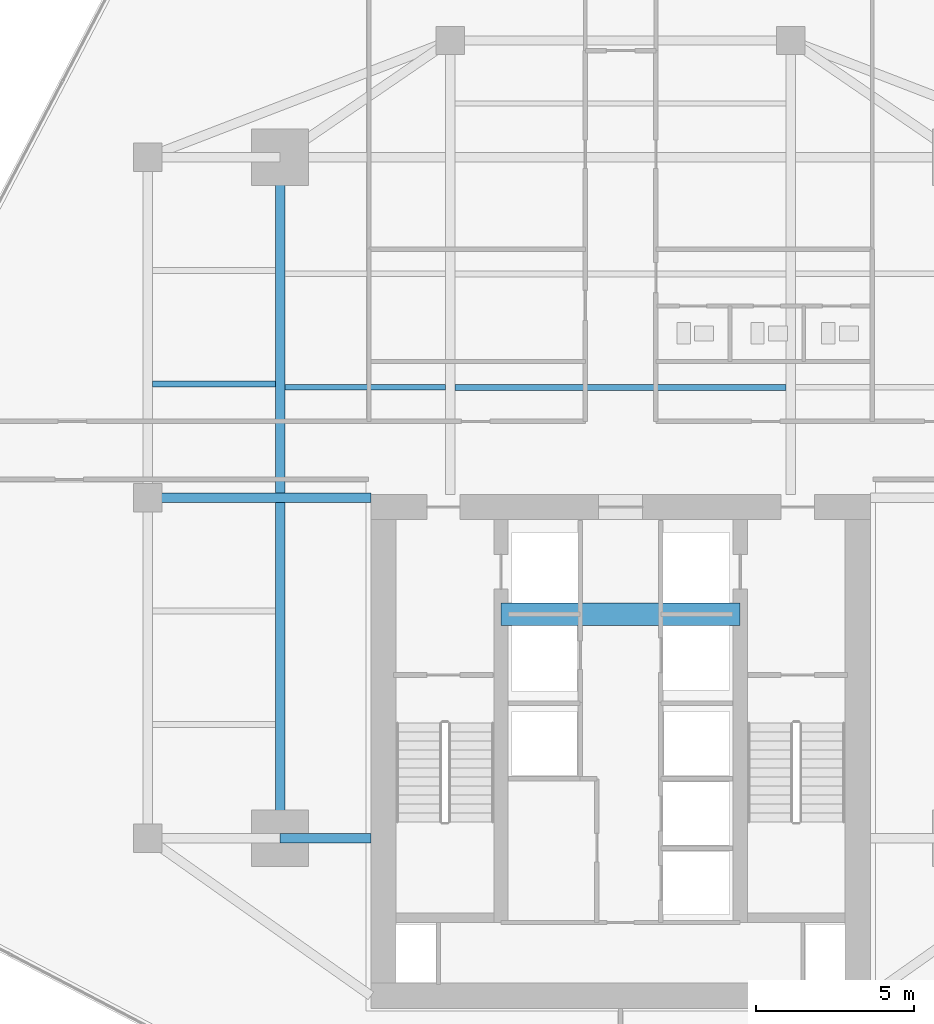
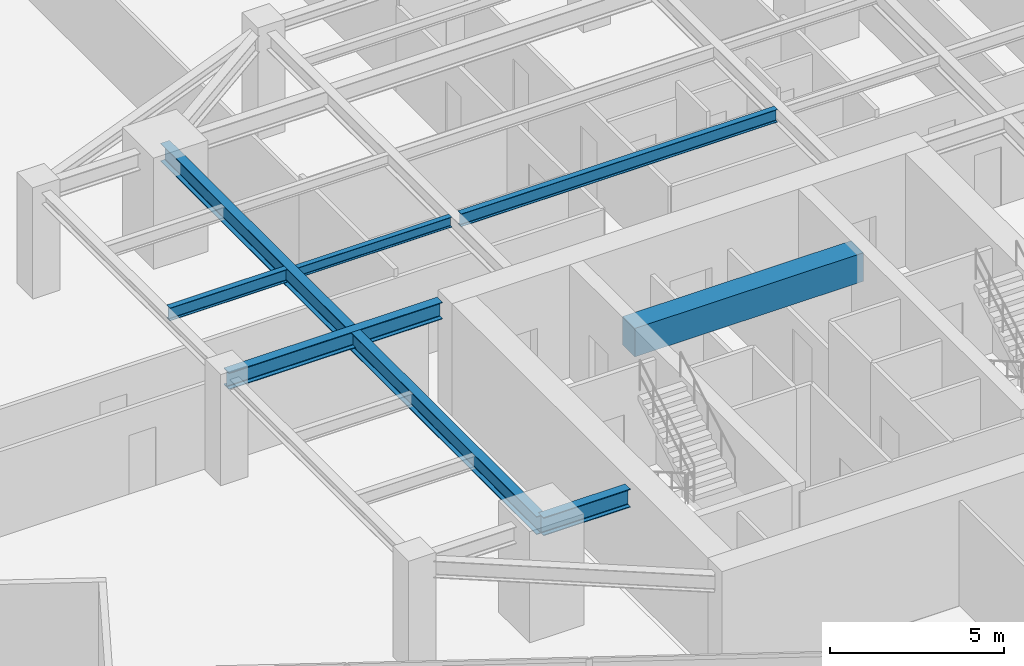
# One storey, part 8 of 27: 7 beams.
"""IFC4 building model written with IfcOpenShell, lengths in metres."""

import ifcopenshell
import ifcopenshell.guid

model = None  # the IFC model being written
_history = None  # IfcOwnerHistory: only IFC2X3 demands one
_inside = {}  # id of a spatial element -> (the spatial element, [elements in it])
_under = {}  # id of a project, library or spatial element -> (it, [spatial elements below it])
_declared = {}  # id of a project -> (the project, [libraries it declares])
_typed = {}  # id of a type object -> (the type object, [elements of that type])
_made_of = {}  # id of a material, layer set ... -> (it, [elements and type objects made of it])


def new_model(schema):
    """Start an empty IFC model of exactly this schema.

    Asked for "IFC4X3", IfcOpenShell would pick the latest addendum, in which some entities
    have other attributes; the version numbers below select the first issue.
    IFC2X3 requires an IfcOwnerHistory on every rooted entity: one is made here for all.
    """
    global model, _history
    if schema == "IFC4X3":
        model = ifcopenshell.file(schema_version=(4, 3, 0, 0))
    else:
        model = ifcopenshell.file(schema=schema)
    _inside.clear()
    _under.clear()
    _declared.clear()
    _typed.clear()
    _made_of.clear()
    _history = None
    if model.schema == "IFC2X3":
        org = make("IfcOrganization", Name="unknown")
        user = make(
            "IfcPersonAndOrganization",
            ThePerson=make("IfcPerson", FamilyName="unknown"),
            TheOrganization=org,
        )
        app = make(
            "IfcApplication",
            ApplicationDeveloper=org,
            Version="unknown",
            ApplicationFullName="unknown",
            ApplicationIdentifier="unknown",
        )
        _history = make(
            "IfcOwnerHistory",
            OwningUser=user,
            OwningApplication=app,
            ChangeAction="ADDED",
            CreationDate=0,
        )
    return model


def make(cls, **values):
    """One entity of the class cls with the attributes given. An attribute that is None is left unset."""
    return model.create_entity(
        cls, **{name: value for name, value in values.items() if value is not None}
    )


def rooted(cls, **values):
    """An entity with a GlobalId (a new one), such as an element, a storey or a relation."""
    return make(cls, GlobalId=ifcopenshell.guid.new(), OwnerHistory=_history, **values)


def si_unit(unit_type, name, prefix=None):
    """IfcSIUnit, for example si_unit("LENGTHUNIT", "METRE", prefix="MILLI")."""
    return make("IfcSIUnit", UnitType=unit_type, Prefix=prefix, Name=name)


def assignment(units):
    """IfcUnitAssignment: the units of a project."""
    return None if units is None else make("IfcUnitAssignment", Units=units)


def point(xyz):
    """IfcCartesianPoint."""
    return None if xyz is None else make("IfcCartesianPoint", Coordinates=xyz)


def direction(xyz):
    """IfcDirection."""
    return None if xyz is None else make("IfcDirection", DirectionRatios=xyz)


def frame(location, z_axis=None, x_axis=None):
    """IfcAxis2Placement3D, a coordinate frame: its origin and axes. An axis left out is left unset."""
    return make(
        "IfcAxis2Placement3D",
        Location=point(location),
        Axis=direction(z_axis),
        RefDirection=direction(x_axis),
    )


def frame_2d(location, x_axis=None):
    """IfcAxis2Placement2D, a coordinate frame in the plane: its origin and x axis."""
    return make(
        "IfcAxis2Placement2D", Location=point(location), RefDirection=direction(x_axis)
    )


def origin():
    """The frame at (0, 0, 0) with its axes left unset."""
    return frame((0.0, 0.0, 0.0))


def origin_2d():
    """The frame at (0, 0) in the plane with its x axis left unset."""
    return frame_2d((0.0, 0.0))


def place(relative_to, where):
    """IfcLocalPlacement: puts the frame where relative to a parent placement (None: the world)."""
    return make(
        "IfcLocalPlacement", PlacementRelTo=relative_to, RelativePlacement=where
    )


def context(
    kind, dimensions, precision=None, world=None, true_north=None, identifier=None
):
    """IfcGeometricRepresentationContext, for example the 3D "Model" context."""
    return make(
        "IfcGeometricRepresentationContext",
        ContextIdentifier=identifier,
        ContextType=kind,
        CoordinateSpaceDimension=dimensions,
        Precision=precision,
        WorldCoordinateSystem=world,
        TrueNorth=true_north,
    )


def subcontext(parent, identifier, kind, view, scale=None):
    """IfcGeometricRepresentationSubContext, for example "Body" below "Model"."""
    return make(
        "IfcGeometricRepresentationSubContext",
        ContextIdentifier=identifier,
        ContextType=kind,
        ParentContext=parent,
        TargetScale=scale,
        TargetView=view,
    )


def project(units=None, contexts=None):
    """IfcProject with its units and contexts."""
    return rooted(
        "IfcProject",
        Name="project",
        RepresentationContexts=contexts,
        UnitsInContext=assignment(units),
    )


def spatial(cls, under=None, at=None, **own):
    """A site, building, storey or space (cls), placed at a placement, below another one or the project."""
    s = rooted(cls, ObjectPlacement=at, **own)
    if under is not None:
        _under.setdefault(under.id(), (under, []))[1].append(s)
    return s


def profile(cls, at=None, kind="AREA", **sizes):
    """A parametric profile (cls). Its sizes go by their IFC names, for example OverallWidth=200.0."""
    return make(cls, ProfileType=kind, Position=at, **sizes)


def rectangle(**sizes):
    """IfcRectangleProfileDef."""
    return profile("IfcRectangleProfileDef", **sizes)


def i_section(**sizes):
    """IfcIShapeProfileDef."""
    return profile("IfcIShapeProfileDef", **sizes)


def extrude(swept, where, along, depth):
    """IfcExtrudedAreaSolid: the profile swept, set in the frame where, extruded along a direction by depth."""
    return make(
        "IfcExtrudedAreaSolid",
        SweptArea=swept,
        Position=where,
        ExtrudedDirection=direction(along),
        Depth=depth,
    )


def shape(context_of_items, identifier, shape_type, items):
    """IfcShapeRepresentation: the items that make up one representation, for example the "Body"."""
    return make(
        "IfcShapeRepresentation",
        ContextOfItems=context_of_items,
        RepresentationIdentifier=identifier,
        RepresentationType=shape_type,
        Items=items,
    )


def source(mapping_origin, context_of_items, identifier, shape_type, items):
    """IfcRepresentationMap: a shape defined once, which mapped items show again and again."""
    return make(
        "IfcRepresentationMap",
        MappingOrigin=mapping_origin,
        MappedRepresentation=shape(context_of_items, identifier, shape_type, items),
    )


def transform(
    local_origin,
    x_axis=None,
    y_axis=None,
    z_axis=None,
    scale=None,
    scale2=None,
    scale3=None,
    uniform=True,
):
    """IfcCartesianTransformationOperator3D, or its non-uniform kind. x_axis, y_axis, z_axis: its Axis1, 2, 3."""
    if uniform:
        return make(
            "IfcCartesianTransformationOperator3D",
            Axis1=direction(x_axis),
            Axis2=direction(y_axis),
            LocalOrigin=point(local_origin),
            Scale=scale,
            Axis3=direction(z_axis),
        )
    return make(
        "IfcCartesianTransformationOperator3DnonUniform",
        Axis1=direction(x_axis),
        Axis2=direction(y_axis),
        LocalOrigin=point(local_origin),
        Scale=scale,
        Axis3=direction(z_axis),
        Scale2=scale2,
        Scale3=scale3,
    )


def mapped(mapping_source, mapping_target):
    """IfcMappedItem: shows the shape of a source again, moved by a transform."""
    return make(
        "IfcMappedItem", MappingSource=mapping_source, MappingTarget=mapping_target
    )


def material(Name=None, Category=None):
    """IfcMaterial."""
    return make("IfcMaterial", Name=Name, Category=Category)


def material_profile(
    of_material, cross_section, Name=None, Category=None, Priority=None
):
    """IfcMaterialProfile: a cross section and its material."""
    return make(
        "IfcMaterialProfile",
        Name=Name,
        Material=of_material,
        Profile=cross_section,
        Priority=Priority,
        Category=Category,
    )


def profile_set(profiles, Name=None, composite=None):
    """IfcMaterialProfileSet."""
    return make(
        "IfcMaterialProfileSet",
        Name=Name,
        MaterialProfiles=profiles,
        CompositeProfile=composite,
    )


def made_of(thing, what):
    """Note that an element or type object is made of a material, layer set ...; save() writes the relation."""
    if what is not None:
        _made_of.setdefault(what.id(), (what, []))[1].append(thing)
    return thing


def type_object(cls, material=None, **own):
    """A type object (cls), such as IfcWallType, which elements share."""
    return made_of(rooted(cls, **own), material)


def type_shapes(of_type, sources):
    """Give a type object the sources (RepresentationMaps) that its elements show as mapped items."""
    of_type.RepresentationMaps = sources


def element(
    cls,
    number,
    at=None,
    inside=None,
    cuts=None,
    type_object=None,
    material=None,
    context=None,
    identifier="Body",
    shape_type=None,
    held_by="IfcProductDefinitionShape",
    body=None,
    shapes=None,
    **own,
):
    """One element of the class cls, such as IfcWall. Its Tag is "e" and its number.

    at: its placement. inside: the storey or other place that contains it. cuts: it is an
    opening in that element (IfcRelVoidsElement). A single representation is given by context,
    identifier, shape_type and body (its items); several are given by shapes. held_by: the class
    of the entity that holds the representations. save() writes the other relations.
    """
    e = rooted(cls, Tag="e%d" % number, ObjectPlacement=at, **own)
    if body is not None:
        shapes = [shape(context, identifier, shape_type, body)]
    if shapes is not None:
        e.Representation = make(held_by, Representations=shapes)
    if inside is not None:
        _inside.setdefault(inside.id(), (inside, []))[1].append(e)
    if cuts is not None:
        rooted(
            "IfcRelVoidsElement", RelatingBuildingElement=cuts, RelatedOpeningElement=e
        )
    if type_object is not None:
        _typed.setdefault(type_object.id(), (type_object, []))[1].append(e)
    return made_of(e, material)


def aggregate(whole, parts):
    """IfcRelAggregates: a whole, such as a stair, and the parts it consists of."""
    return rooted("IfcRelAggregates", RelatingObject=whole, RelatedObjects=parts)


def save(model, path):
    """Write the relations noted so far, then the file.

    IfcRelAggregates (storeys below a building ...), IfcRelContainedInSpatialStructure (elements
    in a storey), IfcRelDefinesByType, IfcRelAssociatesMaterial and IfcRelDeclares: one each for
    every whole, place, type object, material and project.
    """
    for whole, parts in _under.values():
        aggregate(whole, parts)
    for where, things in _inside.values():
        rooted(
            "IfcRelContainedInSpatialStructure",
            RelatedElements=things,
            RelatingStructure=where,
        )
    for kind, things in _typed.values():
        rooted("IfcRelDefinesByType", RelatedObjects=things, RelatingType=kind)
    for what, things in _made_of.values():
        rooted("IfcRelAssociatesMaterial", RelatedObjects=things, RelatingMaterial=what)
    for by, libraries in _declared.values():
        rooted("IfcRelDeclares", RelatingContext=by, RelatedDefinitions=libraries)
    model.write(path)


model = new_model("IFC4")

# Units and contexts
model_context = context("Model", 3, precision=1e-05, world=origin(), true_north=direction((0.0, 1.0)))
body_context = subcontext(model_context, "Body", "Model", "MODEL_VIEW")
ifc_project = project(units=[si_unit("LENGTHUNIT", "METRE"), si_unit("AREAUNIT", "SQUARE_METRE"), si_unit("VOLUMEUNIT", "CUBIC_METRE"), si_unit("PLANEANGLEUNIT", "RADIAN"), si_unit("MASSUNIT", "GRAM", prefix="KILO")], contexts=[model_context])

# Site, building, storey
site_placement = place(None, origin())
site = spatial("IfcSite", under=ifc_project, at=site_placement, CompositionType="ELEMENT")
building_placement = place(site_placement, origin())
building = spatial("IfcBuilding", under=site, at=building_placement, Name="Krantzveldt Concourse Tower", CompositionType="ELEMENT")
storey_placement = place(building_placement, frame((0.0, 0.0, 150.14990234375)))
storey = spatial("IfcBuildingStorey", under=building, at=storey_placement, Name="L36", CompositionType="ELEMENT", Elevation=150.14990234375)

# Beams
ifc_material_1 = material(Name="Steel S355JR", Category="steel")
ifc_material_profile_1 = material_profile(ifc_material_1, i_section(OverallWidth=0.300048828125, OverallDepth=0.639892578125, WebThickness=0.013427734375, FlangeThickness=0.02587890625, FilletRadius=0.027099609375, at=origin_2d()), Name="Steel S355JR", Category="steel")
ifc_profile_set_1 = profile_set([ifc_material_profile_1], Name="Steel S355JR - HEA 650")
beam_type_1 = type_object("IfcBeamType", Name="BM-B-HEA650", PredefinedType="BEAM", material=ifc_profile_set_1)
shared_shape_1 = source(origin(), body_context, "Body", "SweptSolid", [
    extrude(i_section(OverallWidth=0.300048828125, OverallDepth=0.639892578125, WebThickness=0.013427734375, FlangeThickness=0.02587890625, FilletRadius=0.027099609375, at=origin_2d()), origin(), (0.0, 0.0, 1.0), 21.60009765625),
])
beam_1_placement = place(storey_placement, frame((25.199951171875, 15.89990234375, 3.35009765625), z_axis=(0.0, 1.0, 0.0), x_axis=(-1.0, 0.0, 0.0)))
element("IfcBeam", 1, at=beam_1_placement, inside=storey, type_object=beam_type_1, Name="L36 Tower Girder BG-MW", PredefinedType="BEAM", context=body_context, shape_type="MappedRepresentation", body=[
    mapped(shared_shape_1, transform((0.0, 0.0, 0.0), x_axis=(1.0, 0.0, 0.0), y_axis=(0.0, 1.0, 0.0), z_axis=(0.0, 0.0, 1.0), scale=1.0)),
])
ifc_material_profile_2 = material_profile(ifc_material_1, i_section(OverallWidth=0.300048828125, OverallDepth=0.590087890625, WebThickness=0.012939453125, FlangeThickness=0.02490234375, FilletRadius=0.027099609375, at=origin_2d()), Name="Steel S355JR", Category="steel")
ifc_profile_set_2 = profile_set([ifc_material_profile_2], Name="Steel S355JR - HEA 600")
beam_type_2 = type_object("IfcBeamType", Name="BM-B-HEA600", PredefinedType="BEAM", material=ifc_profile_set_2)
shared_shape_2 = source(origin(), body_context, "Body", "SweptSolid", [
    extrude(i_section(OverallWidth=0.300048828125, OverallDepth=0.590087890625, WebThickness=0.012939453125, FlangeThickness=0.02490234375, FilletRadius=0.027099609375, at=origin_2d()), origin(), (0.0, 0.0, 1.0), 7.080078125),
])
type_shapes(beam_type_2, [shared_shape_2])
beam_2_placement = place(storey_placement, frame((21.0, 26.699951171875, 3.375), z_axis=(1.0, 0.0, 0.0), x_axis=(0.0, 1.0, 0.0)))
element("IfcBeam", 2, at=beam_2_placement, inside=storey, type_object=beam_type_2, Name="L36 Tower Girder BG-CW2", PredefinedType="BEAM", context=body_context, shape_type="MappedRepresentation", body=[
    mapped(shared_shape_2, transform((0.0, 0.0, 0.0), x_axis=(1.0, 0.0, 0.0), y_axis=(0.0, 1.0, 0.0), z_axis=(0.0, 0.0, 1.0), scale=1.0)),
])
ifc_material_profile_3 = material_profile(ifc_material_1, i_section(OverallWidth=0.18994140625, OverallDepth=0.449951171875, WebThickness=0.009521484375, FlangeThickness=0.0146484375, FilletRadius=0.02099609375, at=origin_2d()), Name="Steel S355JR", Category="steel")
ifc_profile_set_3 = profile_set([ifc_material_profile_3], Name="Steel S355JR - IPE 450")
beam_type_3 = type_object("IfcBeamType", Name="BM-J-IPE450", PredefinedType="JOIST", material=ifc_profile_set_3)
shared_shape_3 = source(origin(), body_context, "Body", "SweptSolid", [
    extrude(i_section(OverallWidth=0.18994140625, OverallDepth=0.449951171875, WebThickness=0.009521484375, FlangeThickness=0.0146484375, FilletRadius=0.02099609375, at=origin_2d()), origin(), (0.0, 0.0, 1.0), 10.5),
])
beam_3_placement = place(storey_placement, frame((30.75, 30.199951171875, 3.445068359375), z_axis=(1.0, 0.0, 0.0), x_axis=(0.0, 1.0, 0.0)))
element("IfcBeam", 3, at=beam_3_placement, inside=storey, type_object=beam_type_3, Name="L36 Secondary Floor Joist JN-C1", PredefinedType="JOIST", context=body_context, shape_type="MappedRepresentation", body=[
    mapped(shared_shape_3, transform((0.0, 0.0, 0.0), x_axis=(1.0, 0.0, 0.0), y_axis=(0.0, 1.0, 0.0), z_axis=(0.0, 0.0, 1.0), scale=1.0)),
])
ifc_material_2 = material(Name="Concrete C50/60", Category="concrete")
ifc_material_profile_4 = material_profile(ifc_material_2, rectangle(XDim=0.699951171875, YDim=1.0, at=origin_2d()), Name="Concrete C50/60", Category="concrete")
ifc_profile_set_4 = profile_set([ifc_material_profile_4], Name="Concrete C50/60 - RC-CB 700x1000")
beam_type_4 = type_object("IfcBeamType", Name="BM-CB-1000", PredefinedType="LINTEL", material=ifc_profile_set_4)
shared_shape_4 = source(origin(), body_context, "Body", "SweptSolid", [
    extrude(rectangle(XDim=0.699951171875, YDim=1.0, at=origin_2d()), origin(), (0.0, 0.0, 1.0), 7.580078125),
])
type_shapes(beam_type_4, [shared_shape_4])
beam_4_placement = place(storey_placement, frame((32.2099609375, 23.0, 3.170166015625), z_axis=(1.0, 0.0, 0.0), x_axis=(0.0, 1.0, 0.0)))
element("IfcBeam", 4, at=beam_4_placement, inside=storey, type_object=beam_type_4, Name="CB-L36-01", PredefinedType="LINTEL", context=body_context, shape_type="MappedRepresentation", body=[
    mapped(shared_shape_4, transform((0.0, 0.0, 0.0), x_axis=(1.0, 0.0, 0.0), y_axis=(0.0, 1.0, 0.0), z_axis=(0.0, 0.0, 1.0), scale=1.0)),
])
shared_shape_5 = source(origin(), body_context, "Body", "SweptSolid", [
    extrude(i_section(OverallWidth=0.300048828125, OverallDepth=0.639892578125, WebThickness=0.013427734375, FlangeThickness=0.02587890625, FilletRadius=0.027099609375, at=origin_2d()), origin(), (0.0, 0.0, 1.0), 2.880126953125),
])
type_shapes(beam_type_1, [shared_shape_1, shared_shape_5])
beam_5_placement = place(storey_placement, frame((25.199951171875, 15.89990234375, 3.35009765625), z_axis=(1.0, 0.0, 0.0), x_axis=(0.0, 1.0, 0.0)))
element("IfcBeam", 5, at=beam_5_placement, inside=storey, type_object=beam_type_1, Name="L36 Tower Girder BG-CW1", PredefinedType="BEAM", context=body_context, shape_type="MappedRepresentation", body=[
    mapped(shared_shape_5, transform((0.0, 0.0, 0.0), x_axis=(1.0, 0.0, 0.0), y_axis=(0.0, 1.0, 0.0), z_axis=(0.0, 0.0, 1.0), scale=1.0)),
])
ifc_material_profile_5 = material_profile(ifc_material_1, i_section(OverallWidth=0.169921875, OverallDepth=0.360107421875, WebThickness=0.008056640625, FlangeThickness=0.0126953125, FilletRadius=0.01806640625, at=origin_2d()), Name="Steel S355JR", Category="steel")
ifc_profile_set_5 = profile_set([ifc_material_profile_5], Name="Steel S355JR - IPE 360")
beam_type_5 = type_object("IfcBeamType", Name="BM-J-IPE360", PredefinedType="JOIST", material=ifc_profile_set_5)
shared_shape_6 = source(origin(), body_context, "Body", "SweptSolid", [
    extrude(i_section(OverallWidth=0.169921875, OverallDepth=0.360107421875, WebThickness=0.008056640625, FlangeThickness=0.0126953125, FilletRadius=0.01806640625, at=origin_2d()), origin(), (0.0, 0.0, 1.0), 5.099853515625),
])
type_shapes(beam_type_5, [shared_shape_6])
beam_6_placement = place(storey_placement, frame((25.35009765625, 30.199951171875, 3.489990234375), z_axis=(1.0, 0.0, 0.0), x_axis=(0.0, 1.0, 0.0)))
element("IfcBeam", 6, at=beam_6_placement, inside=storey, type_object=beam_type_5, Name="L36 Secondary Floor Joist JN-W1", PredefinedType="JOIST", context=body_context, shape_type="MappedRepresentation", body=[
    mapped(shared_shape_6, transform((0.0, 0.0, 0.0), x_axis=(1.0, 0.0, 0.0), y_axis=(0.0, 1.0, 0.0), z_axis=(0.0, 0.0, 1.0), scale=1.0)),
])
shared_shape_7 = source(origin(), body_context, "Body", "SweptSolid", [
    extrude(i_section(OverallWidth=0.18994140625, OverallDepth=0.449951171875, WebThickness=0.009521484375, FlangeThickness=0.0146484375, FilletRadius=0.02099609375, at=origin_2d()), origin(), (0.0, 0.0, 1.0), 3.900146484375),
])
type_shapes(beam_type_3, [shared_shape_3, shared_shape_7])
beam_7_placement = place(storey_placement, frame((21.14990234375, 30.300048828125, 3.445068359375), z_axis=(1.0, 0.0, 0.0), x_axis=(0.0, 1.0, 0.0)))
element("IfcBeam", 7, at=beam_7_placement, inside=storey, type_object=beam_type_3, Name="L36 Secondary Floor Joist JW-3", PredefinedType="JOIST", context=body_context, shape_type="MappedRepresentation", body=[
    mapped(shared_shape_7, transform((0.0, 0.0, 0.0), x_axis=(1.0, 0.0, 0.0), y_axis=(0.0, 1.0, 0.0), z_axis=(0.0, 0.0, 1.0), scale=1.0)),
])

save(model, "model.ifc")
